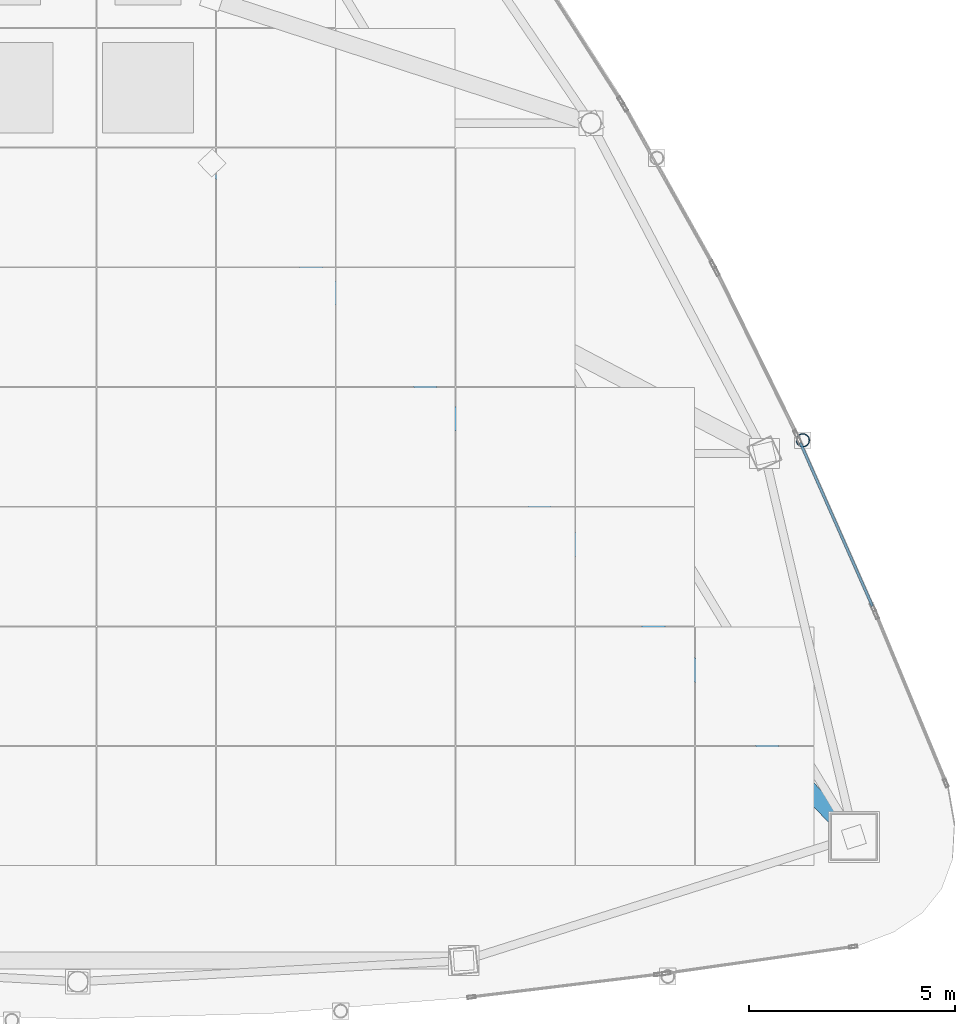
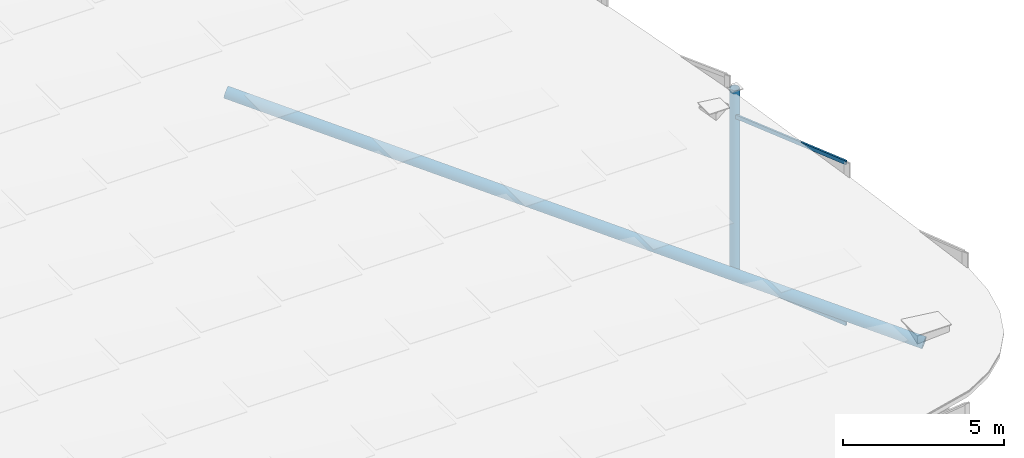
# One storey, part 12 of 21: 4 members, 1 element without a shape of its own.
"""IFC4 building model written with IfcOpenShell, lengths in metres."""

from ifc_helpers import new_model, si_unit, direction, frame, origin, origin_2d, place, context, subcontext, project, spatial, hollow_rectangle, hollow_circle, extrude, material, layer, layer_set, material_profile, profile_set, type_object, element, aggregate, save


model = new_model("IFC4")

# Units and contexts
model_context = context("Model", 3, precision=1e-05, world=origin(), true_north=direction((0.0, 1.0)))
body_context = subcontext(model_context, "Body", "Model", "MODEL_VIEW")
ifc_project = project(units=[si_unit("LENGTHUNIT", "METRE"), si_unit("AREAUNIT", "SQUARE_METRE"), si_unit("VOLUMEUNIT", "CUBIC_METRE"), si_unit("PLANEANGLEUNIT", "RADIAN"), si_unit("MASSUNIT", "GRAM", prefix="KILO")], contexts=[model_context])

# Site, building, storey
site_placement = place(None, origin())
site = spatial("IfcSite", under=ifc_project, at=site_placement, CompositionType="ELEMENT")
building_placement = place(site_placement, origin())
building = spatial("IfcBuilding", under=site, at=building_placement, Name="Orvanel Arch Residences", CompositionType="ELEMENT")
storey_placement = place(building_placement, frame((0.0, 0.0, 314.89990234375)))
storey = spatial("IfcBuildingStorey", under=building, at=storey_placement, Name="RF", CompositionType="ELEMENT", Elevation=314.89990234375)

# Members
ifc_material_1 = material(Name="Structural steel AS/NZS 1163 C350L0 (Grade 350)", Category="steel")
ifc_material_profile_1 = material_profile(ifc_material_1, hollow_circle(Radius=0.202880859375, WallThickness=0.01611328125, at=origin_2d()), Name="CHS406x16")
ifc_profile_set_1 = profile_set([ifc_material_profile_1], Name="Structural steel AS/NZS 1163 C350L0 (Grade 350)")
member_type_1 = type_object("IfcMemberType", Name="RF-406CHS-EXT", PredefinedType="RAFTER", material=ifc_profile_set_1)
member_1_placement = place(storey_placement, frame((36.25, 26.675048828125, 7.8759765625), z_axis=(0.673238513872, -0.706701206541, -0.21753921052), x_axis=(0.724040838766, 0.689757104929, 0.0)))
element("IfcMember", 1, at=member_1_placement, inside=storey, type_object=member_type_1, Name="RF Slanted Crown Structural Soffit Rafter 07", PredefinedType="RAFTER", context=body_context, shape_type="SweptSolid", body=[
    extrude(hollow_circle(Radius=0.202880859375, WallThickness=0.01611328125, at=origin_2d()), origin(), (0.0, 0.0, 1.0), 23.098876953125),
])
ifc_material_profile_2 = material_profile(ifc_material_1, hollow_circle(Radius=0.162109375, WallThickness=0.0126953125, at=origin_2d()), Name="CHS324x12.7")
ifc_profile_set_2 = profile_set([ifc_material_profile_2], Name="Structural steel AS/NZS 1163 C350L0 (Grade 350)")
member_type_2 = type_object("IfcMemberType", Name="ST-324CHS-EXT", PredefinedType="STRUT", material=ifc_profile_set_2)
member_2_placement = place(storey_placement, frame((50.56396484375, 19.9580078125, 0.0), z_axis=(0.0, 0.0, 1.0), x_axis=(1.0, 0.0, 0.0)))
element("IfcMember", 2, at=member_2_placement, inside=storey, type_object=member_type_2, Name="RF Crown Outer Perimeter Frame Post 09", PredefinedType="STRUT", context=body_context, shape_type="SweptSolid", body=[
    extrude(hollow_circle(Radius=0.162109375, WallThickness=0.0126953125, at=origin_2d()), origin(), (0.0, 0.0, 1.0), 7.10302734375),
])

# Curtain wall, members
ifc_material_2 = material(Name="Bronze-anodised aluminium AA6063-T6", Category="aluminium")
ifc_layer = layer(ifc_material_2, 0.2099609375)
ifc_layer_set = layer_set([ifc_layer], Name="Bronze-anodised aluminium AA6063-T6")
curtain_wall_type = type_object("IfcCurtainWallType", Name="CW7-TOP-SYS", PredefinedType="NOTDEFINED", material=ifc_layer_set)
curtain_wall_placement = place(storey_placement, origin())
curtain_wall = element("IfcCurtainWall", 3, at=curtain_wall_placement, inside=storey, type_object=curtain_wall_type, Name="RF CW7-TOP-SYS Unitised Curtain Wall", PredefinedType="NOTDEFINED")
ifc_material_profile_3 = material_profile(ifc_material_2, hollow_rectangle(XDim=0.06494140625, YDim=0.14990234375, WallThickness=0.00390625, at=origin_2d()), Name="ALU150x65x4")
ifc_profile_set_3 = profile_set([ifc_material_profile_3], Name="Bronze-anodised aluminium AA6063-T6")
member_type_3 = type_object("IfcMemberType", Name="TRN-150x65", PredefinedType="USERDEFINED", material=ifc_profile_set_3)
member_3_placement = place(storey_placement, frame((52.247802734375, 15.943603515625, 0.03271484375), z_axis=(-0.403800098569, 0.914847244296, 0.0), x_axis=(-0.914847244296, -0.403800098569, 0.0)))
member_3 = element("IfcMember", 4, at=member_3_placement, type_object=member_type_3, Name="CW-S7 transom 1.1", ObjectType="TRANSOM", PredefinedType="USERDEFINED", context=body_context, shape_type="SweptSolid", body=[
    extrude(hollow_rectangle(XDim=0.06494140625, YDim=0.14990234375, WallThickness=0.00390625, at=origin_2d()), origin(), (0.0, 0.0, 1.0), 4.322998046875),
])
member_4_placement = place(storey_placement, frame((52.247802734375, 15.943603515625, 6.115478515625), z_axis=(-0.403800098569, 0.914847244296, 0.0), x_axis=(-0.914847244296, -0.403800098569, 0.0)))
member_4 = element("IfcMember", 5, at=member_4_placement, type_object=member_type_3, Name="CW-S7 transom 1.2", ObjectType="TRANSOM", PredefinedType="USERDEFINED", context=body_context, shape_type="SweptSolid", body=[
    extrude(hollow_rectangle(XDim=0.06494140625, YDim=0.14990234375, WallThickness=0.00390625, at=origin_2d()), origin(), (0.0, 0.0, 1.0), 4.322998046875),
])
aggregate(curtain_wall, [member_3, member_4])

save(model, "model.ifc")
